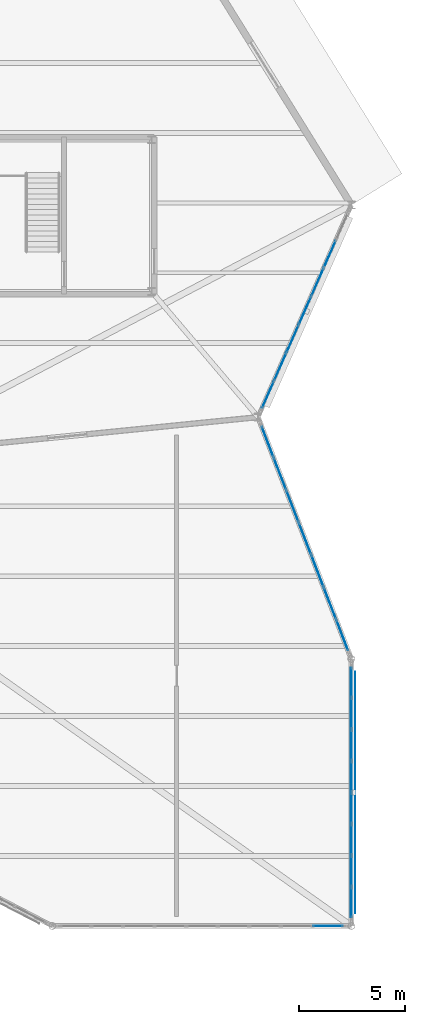
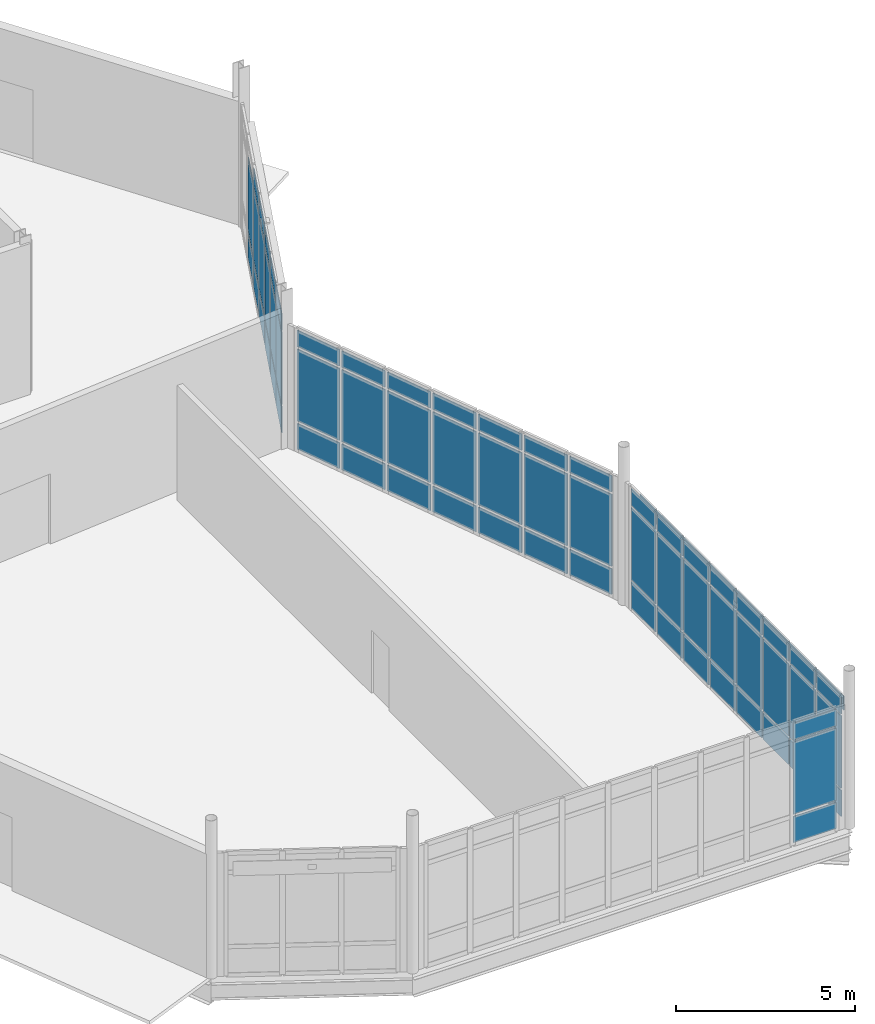
# One storey, part 80 of 113: 66 plates, 4 elements without a shape of their own.
"""IFC4 building model written with IfcOpenShell, lengths in metres."""

from ifc_helpers import new_model, si_unit, direction, frame, origin, origin_2d, place, context, subcontext, project, spatial, rectangle, extrude, material, layer, layer_set, type_object, element, aggregate, save


model = new_model("IFC4")

# Units and contexts
model_context = context("Model", 3, precision=1e-05, world=origin(), true_north=direction((0.0, 1.0)))
body_context = subcontext(model_context, "Body", "Model", "MODEL_VIEW")
ifc_project = project(units=[si_unit("LENGTHUNIT", "METRE"), si_unit("AREAUNIT", "SQUARE_METRE"), si_unit("VOLUMEUNIT", "CUBIC_METRE"), si_unit("PLANEANGLEUNIT", "RADIAN"), si_unit("MASSUNIT", "GRAM", prefix="KILO")], contexts=[model_context])

# Site, building, storey
site_placement = place(None, origin())
site = spatial("IfcSite", under=ifc_project, at=site_placement, CompositionType="ELEMENT")
building_placement = place(site_placement, origin())
building = spatial("IfcBuilding", under=site, at=building_placement, Name="Tameran Prism Museum", CompositionType="ELEMENT")
storey_placement = place(building_placement, origin())
storey = spatial("IfcBuildingStorey", under=building, at=storey_placement, Name="L00", CompositionType="ELEMENT", Elevation=0.0)

# Curtain wall, plates
ifc_material_1 = material(Name="Anodised Aluminium 6063-T6 and Cyclone Solar Glass", Category="aluminium")
curtain_wall_type_1 = type_object("IfcCurtainWallType", Name="CW-FAC-1340x422", PredefinedType="USERDEFINED", material=ifc_material_1)
curtain_wall_1_placement = place(storey_placement, origin())
curtain_wall_1 = element("IfcCurtainWall", 1, at=curtain_wall_1_placement, inside=storey, type_object=curtain_wall_type_1, Name="Unitised Curtain Wall CW-040", ObjectType="UNITISED CURTAIN WALL", PredefinedType="USERDEFINED")
ifc_material_2 = material(Name="Low-E Laminated Solar Glass", Category="glass")
ifc_layer_1 = layer(ifc_material_2, 0.028076171875)
ifc_layer_set_1 = layer_set([ifc_layer_1])
plate_type_1 = type_object("IfcPlateType", Name="CW-PNL-G28", PredefinedType="CURTAIN_PANEL", material=ifc_layer_set_1)
plate_1_placement = place(storey_placement, frame((165.2880859375, 0.0, 0.070068359375), z_axis=(0.0, 0.0, 1.0), x_axis=(-1.0, 0.0, 0.0)))
plate_1 = element("IfcPlate", 2, at=plate_1_placement, type_object=plate_type_1, Name="CW-040 panel 1.1", PredefinedType="CURTAIN_PANEL", context=body_context, shape_type="SweptSolid", body=[
    extrude(rectangle(XDim=1.3837890625, YDim=0.028076171875, at=origin_2d()), origin(), (0.0, 0.0, 1.0), 0.89501953125),
])
plate_2_placement = place(storey_placement, frame((165.2880859375, 0.0, 1.03515625), z_axis=(0.0, 0.0, 1.0), x_axis=(-1.0, 0.0, 0.0)))
plate_2 = element("IfcPlate", 3, at=plate_2_placement, type_object=plate_type_1, Name="CW-040 panel 1.2", PredefinedType="CURTAIN_PANEL", context=body_context, shape_type="SweptSolid", body=[
    extrude(rectangle(XDim=1.3837890625, YDim=0.028076171875, at=origin_2d()), origin(), (0.0, 0.0, 1.0), 2.469970703125),
])
plate_3_placement = place(storey_placement, frame((165.2880859375, 0.0, 3.5751953125), z_axis=(0.0, 0.0, 1.0), x_axis=(-1.0, 0.0, 0.0)))
plate_3 = element("IfcPlate", 4, at=plate_3_placement, type_object=plate_type_1, Name="CW-040 panel 1.3", PredefinedType="CURTAIN_PANEL", context=body_context, shape_type="SweptSolid", body=[
    extrude(rectangle(XDim=1.3837890625, YDim=0.028076171875, at=origin_2d()), origin(), (0.0, 0.0, 1.0), 0.574951171875),
])
aggregate(curtain_wall_1, [plate_1, plate_2, plate_3])

ifc_material_3 = material(Name="Anodised Aluminium 6063-T6 and Cyclone Solar Glass", Category="aluminium")
curtain_wall_type_2 = type_object("IfcCurtainWallType", Name="CW-FAC-1016x422", PredefinedType="USERDEFINED", material=ifc_material_3)
curtain_wall_2_placement = place(storey_placement, origin())
curtain_wall_2 = element("IfcCurtainWall", 5, at=curtain_wall_2_placement, inside=storey, type_object=curtain_wall_type_2, Name="Unitised Curtain Wall CW-053", ObjectType="UNITISED CURTAIN WALL", PredefinedType="USERDEFINED")
plate_4_placement = place(storey_placement, frame((165.3818359375, 31.68603515625, 0.0751953125), z_axis=(0.0, 0.0, 1.0), x_axis=(-0.402722131488, -0.915322284668, 0.0)))
plate_4 = element("IfcPlate", 6, at=plate_4_placement, type_object=plate_type_1, Name="CW-053 panel 2.1", PredefinedType="CURTAIN_PANEL", context=body_context, shape_type="SweptSolid", body=[
    extrude(rectangle(XDim=1.377197265625, YDim=0.028076171875, at=origin_2d()), origin(), (0.0, 0.0, 1.0), 0.887451171875),
])
plate_5_placement = place(storey_placement, frame((165.3818359375, 31.68603515625, 1.03759765625), z_axis=(0.0, 0.0, 1.0), x_axis=(-0.402722131488, -0.915322284668, 0.0)))
plate_5 = element("IfcPlate", 7, at=plate_5_placement, type_object=plate_type_1, Name="CW-053 panel 2.2", PredefinedType="CURTAIN_PANEL", context=body_context, shape_type="SweptSolid", body=[
    extrude(rectangle(XDim=1.377197265625, YDim=0.028076171875, at=origin_2d()), origin(), (0.0, 0.0, 1.0), 2.465087890625),
])
plate_6_placement = place(storey_placement, frame((164.796875, 30.356689453125, 0.0751953125), z_axis=(0.0, 0.0, 1.0), x_axis=(-0.402722131488, -0.915322284668, 0.0)))
plate_6 = element("IfcPlate", 8, at=plate_6_placement, type_object=plate_type_1, Name="CW-053 panel 3.1", PredefinedType="CURTAIN_PANEL", context=body_context, shape_type="SweptSolid", body=[
    extrude(rectangle(XDim=1.377197265625, YDim=0.028076171875, at=origin_2d()), origin(), (0.0, 0.0, 1.0), 0.887451171875),
])
plate_7_placement = place(storey_placement, frame((164.796875, 30.356689453125, 1.03759765625), z_axis=(0.0, 0.0, 1.0), x_axis=(-0.402722131488, -0.915322284668, 0.0)))
plate_7 = element("IfcPlate", 9, at=plate_7_placement, type_object=plate_type_1, Name="CW-053 panel 3.2", PredefinedType="CURTAIN_PANEL", context=body_context, shape_type="SweptSolid", body=[
    extrude(rectangle(XDim=1.377197265625, YDim=0.028076171875, at=origin_2d()), origin(), (0.0, 0.0, 1.0), 2.465087890625),
])
plate_8_placement = place(storey_placement, frame((164.796875, 30.356689453125, 3.57763671875), z_axis=(0.0, 0.0, 1.0), x_axis=(-0.402722131488, -0.915322284668, 0.0)))
plate_8 = element("IfcPlate", 10, at=plate_8_placement, type_object=plate_type_1, Name="CW-053 panel 3.3", PredefinedType="CURTAIN_PANEL", context=body_context, shape_type="SweptSolid", body=[
    extrude(rectangle(XDim=1.377197265625, YDim=0.028076171875, at=origin_2d()), origin(), (0.0, 0.0, 1.0), 0.5673828125),
])
plate_9_placement = place(storey_placement, frame((164.2119140625, 29.027587890625, 0.0751953125), z_axis=(0.0, 0.0, 1.0), x_axis=(-0.402722131488, -0.915322284668, 0.0)))
plate_9 = element("IfcPlate", 11, at=plate_9_placement, type_object=plate_type_1, Name="CW-053 panel 4.1", PredefinedType="CURTAIN_PANEL", context=body_context, shape_type="SweptSolid", body=[
    extrude(rectangle(XDim=1.377197265625, YDim=0.028076171875, at=origin_2d()), origin(), (0.0, 0.0, 1.0), 0.887451171875),
])
plate_10_placement = place(storey_placement, frame((164.2119140625, 29.027587890625, 1.03759765625), z_axis=(0.0, 0.0, 1.0), x_axis=(-0.402722131488, -0.915322284668, 0.0)))
plate_10 = element("IfcPlate", 12, at=plate_10_placement, type_object=plate_type_1, Name="CW-053 panel 4.2", PredefinedType="CURTAIN_PANEL", context=body_context, shape_type="SweptSolid", body=[
    extrude(rectangle(XDim=1.377197265625, YDim=0.028076171875, at=origin_2d()), origin(), (0.0, 0.0, 1.0), 2.465087890625),
])
plate_11_placement = place(storey_placement, frame((164.2119140625, 29.027587890625, 3.57763671875), z_axis=(0.0, 0.0, 1.0), x_axis=(-0.402722131488, -0.915322284668, 0.0)))
plate_11 = element("IfcPlate", 13, at=plate_11_placement, type_object=plate_type_1, Name="CW-053 panel 4.3", PredefinedType="CURTAIN_PANEL", context=body_context, shape_type="SweptSolid", body=[
    extrude(rectangle(XDim=1.377197265625, YDim=0.028076171875, at=origin_2d()), origin(), (0.0, 0.0, 1.0), 0.5673828125),
])
plate_12_placement = place(storey_placement, frame((163.627197265625, 27.6982421875, 0.0751953125), z_axis=(0.0, 0.0, 1.0), x_axis=(-0.402722131488, -0.915322284668, 0.0)))
plate_12 = element("IfcPlate", 14, at=plate_12_placement, type_object=plate_type_1, Name="CW-053 panel 5.1", PredefinedType="CURTAIN_PANEL", context=body_context, shape_type="SweptSolid", body=[
    extrude(rectangle(XDim=1.377197265625, YDim=0.028076171875, at=origin_2d()), origin(), (0.0, 0.0, 1.0), 0.887451171875),
])
plate_13_placement = place(storey_placement, frame((163.627197265625, 27.6982421875, 1.03759765625), z_axis=(0.0, 0.0, 1.0), x_axis=(-0.402722131488, -0.915322284668, 0.0)))
plate_13 = element("IfcPlate", 15, at=plate_13_placement, type_object=plate_type_1, Name="CW-053 panel 5.2", PredefinedType="CURTAIN_PANEL", context=body_context, shape_type="SweptSolid", body=[
    extrude(rectangle(XDim=1.377197265625, YDim=0.028076171875, at=origin_2d()), origin(), (0.0, 0.0, 1.0), 2.465087890625),
])
plate_14_placement = place(storey_placement, frame((163.627197265625, 27.6982421875, 3.57763671875), z_axis=(0.0, 0.0, 1.0), x_axis=(-0.402722131488, -0.915322284668, 0.0)))
plate_14 = element("IfcPlate", 16, at=plate_14_placement, type_object=plate_type_1, Name="CW-053 panel 5.3", PredefinedType="CURTAIN_PANEL", context=body_context, shape_type="SweptSolid", body=[
    extrude(rectangle(XDim=1.377197265625, YDim=0.028076171875, at=origin_2d()), origin(), (0.0, 0.0, 1.0), 0.5673828125),
])
plate_15_placement = place(storey_placement, frame((163.042236328125, 26.368896484375, 0.0751953125), z_axis=(0.0, 0.0, 1.0), x_axis=(-0.402722131488, -0.915322284668, 0.0)))
plate_15 = element("IfcPlate", 17, at=plate_15_placement, type_object=plate_type_1, Name="CW-053 panel 6.1", PredefinedType="CURTAIN_PANEL", context=body_context, shape_type="SweptSolid", body=[
    extrude(rectangle(XDim=1.377197265625, YDim=0.028076171875, at=origin_2d()), origin(), (0.0, 0.0, 1.0), 0.887451171875),
])
plate_16_placement = place(storey_placement, frame((163.042236328125, 26.368896484375, 1.03759765625), z_axis=(0.0, 0.0, 1.0), x_axis=(-0.402722131488, -0.915322284668, 0.0)))
plate_16 = element("IfcPlate", 18, at=plate_16_placement, type_object=plate_type_1, Name="CW-053 panel 6.2", PredefinedType="CURTAIN_PANEL", context=body_context, shape_type="SweptSolid", body=[
    extrude(rectangle(XDim=1.377197265625, YDim=0.028076171875, at=origin_2d()), origin(), (0.0, 0.0, 1.0), 2.465087890625),
])
plate_17_placement = place(storey_placement, frame((163.042236328125, 26.368896484375, 3.57763671875), z_axis=(0.0, 0.0, 1.0), x_axis=(-0.402722131488, -0.915322284668, 0.0)))
plate_17 = element("IfcPlate", 19, at=plate_17_placement, type_object=plate_type_1, Name="CW-053 panel 6.3", PredefinedType="CURTAIN_PANEL", context=body_context, shape_type="SweptSolid", body=[
    extrude(rectangle(XDim=1.377197265625, YDim=0.028076171875, at=origin_2d()), origin(), (0.0, 0.0, 1.0), 0.5673828125),
])
plate_18_placement = place(storey_placement, frame((162.465087890625, 25.056884765625, 0.0751953125), z_axis=(0.0, 0.0, 1.0), x_axis=(-0.402722131488, -0.915322284668, 0.0)))
plate_18 = element("IfcPlate", 20, at=plate_18_placement, type_object=plate_type_1, Name="CW-053 panel 7.1", PredefinedType="CURTAIN_PANEL", context=body_context, shape_type="SweptSolid", body=[
    extrude(rectangle(XDim=1.33984375, YDim=0.028076171875, at=origin_2d()), origin(), (0.0, 0.0, 1.0), 0.887451171875),
])
plate_19_placement = place(storey_placement, frame((162.465087890625, 25.056884765625, 1.03759765625), z_axis=(0.0, 0.0, 1.0), x_axis=(-0.402722131488, -0.915322284668, 0.0)))
plate_19 = element("IfcPlate", 21, at=plate_19_placement, type_object=plate_type_1, Name="CW-053 panel 7.2", PredefinedType="CURTAIN_PANEL", context=body_context, shape_type="SweptSolid", body=[
    extrude(rectangle(XDim=1.33984375, YDim=0.028076171875, at=origin_2d()), origin(), (0.0, 0.0, 1.0), 2.465087890625),
])
plate_20_placement = place(storey_placement, frame((162.465087890625, 25.056884765625, 3.57763671875), z_axis=(0.0, 0.0, 1.0), x_axis=(-0.402722131488, -0.915322284668, 0.0)))
plate_20 = element("IfcPlate", 22, at=plate_20_placement, type_object=plate_type_1, Name="CW-053 panel 7.3", PredefinedType="CURTAIN_PANEL", context=body_context, shape_type="SweptSolid", body=[
    extrude(rectangle(XDim=1.33984375, YDim=0.028076171875, at=origin_2d()), origin(), (0.0, 0.0, 1.0), 0.5673828125),
])
aggregate(curtain_wall_2, [plate_4, plate_5, plate_6, plate_7, plate_8, plate_9, plate_10, plate_11, plate_12, plate_13, plate_14, plate_15, plate_16, plate_17, plate_18, plate_19, plate_20])

ifc_material_4 = material(Name="Anodised Aluminium 6063-T6 and Cyclone Solar Glass", Category="aluminium")
curtain_wall_type_3 = type_object("IfcCurtainWallType", Name="CW-FAC-1146x422", PredefinedType="USERDEFINED", material=ifc_material_4)
curtain_wall_3_placement = place(storey_placement, origin())
curtain_wall_3 = element("IfcCurtainWall", 23, at=curtain_wall_3_placement, inside=storey, type_object=curtain_wall_type_3, Name="Unitised Curtain Wall CW-042", ObjectType="UNITISED CURTAIN WALL", PredefinedType="USERDEFINED")
ifc_material_5 = material(Name="Cyclone Laminated Solar Glass", Category="glass")
ifc_layer_2 = layer(ifc_material_5, 0.031982421875)
ifc_layer_set_2 = layer_set([ifc_layer_2])
plate_type_2 = type_object("IfcPlateType", Name="CW-PNL-G32", PredefinedType="CURTAIN_PANEL", material=ifc_layer_set_2)
plate_21_placement = place(storey_placement, frame((162.449951171875, 22.834716796875, 0.080078125), z_axis=(0.0, 0.0, 1.0), x_axis=(0.360078259151, -0.932922101403, 0.0)))
plate_21 = element("IfcPlate", 24, at=plate_21_placement, type_object=plate_type_2, Name="CW-042 panel 1.1", PredefinedType="CURTAIN_PANEL", context=body_context, shape_type="SweptSolid", body=[
    extrude(rectangle(XDim=1.516845703125, YDim=0.031982421875, at=origin_2d()), origin(), (0.0, 0.0, 1.0), 0.8798828125),
])
plate_22_placement = place(storey_placement, frame((162.449951171875, 22.834716796875, 1.0400390625), z_axis=(0.0, 0.0, 1.0), x_axis=(0.360078259151, -0.932922101403, 0.0)))
plate_22 = element("IfcPlate", 25, at=plate_22_placement, type_object=plate_type_2, Name="CW-042 panel 1.2", PredefinedType="CURTAIN_PANEL", context=body_context, shape_type="SweptSolid", body=[
    extrude(rectangle(XDim=1.516845703125, YDim=0.031982421875, at=origin_2d()), origin(), (0.0, 0.0, 1.0), 2.4599609375),
])
plate_23_placement = place(storey_placement, frame((162.449951171875, 22.834716796875, 3.580078125), z_axis=(0.0, 0.0, 1.0), x_axis=(0.360078259151, -0.932922101403, 0.0)))
plate_23 = element("IfcPlate", 26, at=plate_23_placement, type_object=plate_type_2, Name="CW-042 panel 1.3", PredefinedType="CURTAIN_PANEL", context=body_context, shape_type="SweptSolid", body=[
    extrude(rectangle(XDim=1.516845703125, YDim=0.031982421875, at=origin_2d()), origin(), (0.0, 0.0, 1.0), 0.56005859375),
])
plate_24_placement = place(storey_placement, frame((163.0322265625, 21.326171875, 0.080078125), z_axis=(0.0, 0.0, 1.0), x_axis=(0.360078259151, -0.932922101403, 0.0)))
plate_24 = element("IfcPlate", 27, at=plate_24_placement, type_object=plate_type_2, Name="CW-042 panel 2.1", PredefinedType="CURTAIN_PANEL", context=body_context, shape_type="SweptSolid", body=[
    extrude(rectangle(XDim=1.556884765625, YDim=0.031982421875, at=origin_2d()), origin(), (0.0, 0.0, 1.0), 0.8798828125),
])
plate_25_placement = place(storey_placement, frame((163.0322265625, 21.326171875, 1.0400390625), z_axis=(0.0, 0.0, 1.0), x_axis=(0.360078259151, -0.932922101403, 0.0)))
plate_25 = element("IfcPlate", 28, at=plate_25_placement, type_object=plate_type_2, Name="CW-042 panel 2.2", PredefinedType="CURTAIN_PANEL", context=body_context, shape_type="SweptSolid", body=[
    extrude(rectangle(XDim=1.556884765625, YDim=0.031982421875, at=origin_2d()), origin(), (0.0, 0.0, 1.0), 2.4599609375),
])
plate_26_placement = place(storey_placement, frame((163.0322265625, 21.326171875, 3.580078125), z_axis=(0.0, 0.0, 1.0), x_axis=(0.360078259151, -0.932922101403, 0.0)))
plate_26 = element("IfcPlate", 29, at=plate_26_placement, type_object=plate_type_2, Name="CW-042 panel 2.3", PredefinedType="CURTAIN_PANEL", context=body_context, shape_type="SweptSolid", body=[
    extrude(rectangle(XDim=1.556884765625, YDim=0.031982421875, at=origin_2d()), origin(), (0.0, 0.0, 1.0), 0.56005859375),
])
plate_27_placement = place(storey_placement, frame((163.62158203125, 19.799072265625, 0.080078125), z_axis=(0.0, 0.0, 1.0), x_axis=(0.360078259151, -0.932922101403, 0.0)))
plate_27 = element("IfcPlate", 30, at=plate_27_placement, type_object=plate_type_2, Name="CW-042 panel 3.1", PredefinedType="CURTAIN_PANEL", context=body_context, shape_type="SweptSolid", body=[
    extrude(rectangle(XDim=1.556884765625, YDim=0.031982421875, at=origin_2d()), origin(), (0.0, 0.0, 1.0), 0.8798828125),
])
plate_28_placement = place(storey_placement, frame((163.62158203125, 19.799072265625, 1.0400390625), z_axis=(0.0, 0.0, 1.0), x_axis=(0.360078259151, -0.932922101403, 0.0)))
plate_28 = element("IfcPlate", 31, at=plate_28_placement, type_object=plate_type_2, Name="CW-042 panel 3.2", PredefinedType="CURTAIN_PANEL", context=body_context, shape_type="SweptSolid", body=[
    extrude(rectangle(XDim=1.556884765625, YDim=0.031982421875, at=origin_2d()), origin(), (0.0, 0.0, 1.0), 2.4599609375),
])
plate_29_placement = place(storey_placement, frame((163.62158203125, 19.799072265625, 3.580078125), z_axis=(0.0, 0.0, 1.0), x_axis=(0.360078259151, -0.932922101403, 0.0)))
plate_29 = element("IfcPlate", 32, at=plate_29_placement, type_object=plate_type_2, Name="CW-042 panel 3.3", PredefinedType="CURTAIN_PANEL", context=body_context, shape_type="SweptSolid", body=[
    extrude(rectangle(XDim=1.556884765625, YDim=0.031982421875, at=origin_2d()), origin(), (0.0, 0.0, 1.0), 0.56005859375),
])
plate_30_placement = place(storey_placement, frame((164.2109375, 18.27197265625, 0.080078125), z_axis=(0.0, 0.0, 1.0), x_axis=(0.360078259151, -0.932922101403, 0.0)))
plate_30 = element("IfcPlate", 33, at=plate_30_placement, type_object=plate_type_2, Name="CW-042 panel 4.1", PredefinedType="CURTAIN_PANEL", context=body_context, shape_type="SweptSolid", body=[
    extrude(rectangle(XDim=1.556884765625, YDim=0.031982421875, at=origin_2d()), origin(), (0.0, 0.0, 1.0), 0.8798828125),
])
plate_31_placement = place(storey_placement, frame((164.2109375, 18.27197265625, 1.0400390625), z_axis=(0.0, 0.0, 1.0), x_axis=(0.360078259151, -0.932922101403, 0.0)))
plate_31 = element("IfcPlate", 34, at=plate_31_placement, type_object=plate_type_2, Name="CW-042 panel 4.2", PredefinedType="CURTAIN_PANEL", context=body_context, shape_type="SweptSolid", body=[
    extrude(rectangle(XDim=1.556884765625, YDim=0.031982421875, at=origin_2d()), origin(), (0.0, 0.0, 1.0), 2.4599609375),
])
plate_32_placement = place(storey_placement, frame((164.2109375, 18.27197265625, 3.580078125), z_axis=(0.0, 0.0, 1.0), x_axis=(0.360078259151, -0.932922101403, 0.0)))
plate_32 = element("IfcPlate", 35, at=plate_32_placement, type_object=plate_type_2, Name="CW-042 panel 4.3", PredefinedType="CURTAIN_PANEL", context=body_context, shape_type="SweptSolid", body=[
    extrude(rectangle(XDim=1.556884765625, YDim=0.031982421875, at=origin_2d()), origin(), (0.0, 0.0, 1.0), 0.56005859375),
])
plate_33_placement = place(storey_placement, frame((164.800537109375, 16.744873046875, 0.080078125), z_axis=(0.0, 0.0, 1.0), x_axis=(0.360078259151, -0.932922101403, 0.0)))
plate_33 = element("IfcPlate", 36, at=plate_33_placement, type_object=plate_type_2, Name="CW-042 panel 5.1", PredefinedType="CURTAIN_PANEL", context=body_context, shape_type="SweptSolid", body=[
    extrude(rectangle(XDim=1.556884765625, YDim=0.031982421875, at=origin_2d()), origin(), (0.0, 0.0, 1.0), 0.8798828125),
])
plate_34_placement = place(storey_placement, frame((164.800537109375, 16.744873046875, 1.0400390625), z_axis=(0.0, 0.0, 1.0), x_axis=(0.360078259151, -0.932922101403, 0.0)))
plate_34 = element("IfcPlate", 37, at=plate_34_placement, type_object=plate_type_2, Name="CW-042 panel 5.2", PredefinedType="CURTAIN_PANEL", context=body_context, shape_type="SweptSolid", body=[
    extrude(rectangle(XDim=1.556884765625, YDim=0.031982421875, at=origin_2d()), origin(), (0.0, 0.0, 1.0), 2.4599609375),
])
plate_35_placement = place(storey_placement, frame((164.800537109375, 16.744873046875, 3.580078125), z_axis=(0.0, 0.0, 1.0), x_axis=(0.360078259151, -0.932922101403, 0.0)))
plate_35 = element("IfcPlate", 38, at=plate_35_placement, type_object=plate_type_2, Name="CW-042 panel 5.3", PredefinedType="CURTAIN_PANEL", context=body_context, shape_type="SweptSolid", body=[
    extrude(rectangle(XDim=1.556884765625, YDim=0.031982421875, at=origin_2d()), origin(), (0.0, 0.0, 1.0), 0.56005859375),
])
plate_36_placement = place(storey_placement, frame((165.389892578125, 15.2177734375, 0.080078125), z_axis=(0.0, 0.0, 1.0), x_axis=(0.360078259151, -0.932922101403, 0.0)))
plate_36 = element("IfcPlate", 39, at=plate_36_placement, type_object=plate_type_2, Name="CW-042 panel 6.1", PredefinedType="CURTAIN_PANEL", context=body_context, shape_type="SweptSolid", body=[
    extrude(rectangle(XDim=1.556884765625, YDim=0.031982421875, at=origin_2d()), origin(), (0.0, 0.0, 1.0), 0.8798828125),
])
plate_37_placement = place(storey_placement, frame((165.389892578125, 15.2177734375, 1.0400390625), z_axis=(0.0, 0.0, 1.0), x_axis=(0.360078259151, -0.932922101403, 0.0)))
plate_37 = element("IfcPlate", 40, at=plate_37_placement, type_object=plate_type_2, Name="CW-042 panel 6.2", PredefinedType="CURTAIN_PANEL", context=body_context, shape_type="SweptSolid", body=[
    extrude(rectangle(XDim=1.556884765625, YDim=0.031982421875, at=origin_2d()), origin(), (0.0, 0.0, 1.0), 2.4599609375),
])
plate_38_placement = place(storey_placement, frame((165.389892578125, 15.2177734375, 3.580078125), z_axis=(0.0, 0.0, 1.0), x_axis=(0.360078259151, -0.932922101403, 0.0)))
plate_38 = element("IfcPlate", 41, at=plate_38_placement, type_object=plate_type_2, Name="CW-042 panel 6.3", PredefinedType="CURTAIN_PANEL", context=body_context, shape_type="SweptSolid", body=[
    extrude(rectangle(XDim=1.556884765625, YDim=0.031982421875, at=origin_2d()), origin(), (0.0, 0.0, 1.0), 0.56005859375),
])
plate_39_placement = place(storey_placement, frame((165.97216796875, 13.709228515625, 0.080078125), z_axis=(0.0, 0.0, 1.0), x_axis=(0.360078259151, -0.932922101403, 0.0)))
plate_39 = element("IfcPlate", 42, at=plate_39_placement, type_object=plate_type_2, Name="CW-042 panel 7.1", PredefinedType="CURTAIN_PANEL", context=body_context, shape_type="SweptSolid", body=[
    extrude(rectangle(XDim=1.516845703125, YDim=0.031982421875, at=origin_2d()), origin(), (0.0, 0.0, 1.0), 0.8798828125),
])
plate_40_placement = place(storey_placement, frame((165.97216796875, 13.709228515625, 1.0400390625), z_axis=(0.0, 0.0, 1.0), x_axis=(0.360078259151, -0.932922101403, 0.0)))
plate_40 = element("IfcPlate", 43, at=plate_40_placement, type_object=plate_type_2, Name="CW-042 panel 7.2", PredefinedType="CURTAIN_PANEL", context=body_context, shape_type="SweptSolid", body=[
    extrude(rectangle(XDim=1.516845703125, YDim=0.031982421875, at=origin_2d()), origin(), (0.0, 0.0, 1.0), 2.4599609375),
])
plate_41_placement = place(storey_placement, frame((165.97216796875, 13.709228515625, 3.580078125), z_axis=(0.0, 0.0, 1.0), x_axis=(0.360078259151, -0.932922101403, 0.0)))
plate_41 = element("IfcPlate", 44, at=plate_41_placement, type_object=plate_type_2, Name="CW-042 panel 7.3", PredefinedType="CURTAIN_PANEL", context=body_context, shape_type="SweptSolid", body=[
    extrude(rectangle(XDim=1.516845703125, YDim=0.031982421875, at=origin_2d()), origin(), (0.0, 0.0, 1.0), 0.56005859375),
])
aggregate(curtain_wall_3, [plate_21, plate_22, plate_23, plate_24, plate_25, plate_26, plate_27, plate_28, plate_29, plate_30, plate_31, plate_32, plate_33, plate_34, plate_35, plate_36, plate_37, plate_38, plate_39, plate_40, plate_41])

# Plate
ifc_material_6 = material(Name="Perforated Marine Aluminium Storm Screen", Category="aluminium")
ifc_layer_3 = layer(ifc_material_6, 0.011962890625)
ifc_layer_set_3 = layer_set([ifc_layer_3])
plate_type_3 = type_object("IfcPlateType", Name="CW-PNL-P12", PredefinedType="SHEET", material=ifc_layer_set_3)
plate_42_placement = place(storey_placement, frame((166.580078125, 6.300048828125, 3.530029296875), z_axis=(0.0, 0.0, 1.0), x_axis=(0.0, -1.0, 0.0)))
element("IfcPlate", 45, at=plate_42_placement, inside=storey, type_object=plate_type_3, Name="Cyclone Perforated Sun-Breaker SS-011", PredefinedType="SHEET", context=body_context, shape_type="SweptSolid", body=[
    extrude(rectangle(XDim=11.39990234375, YDim=0.02001953125, at=origin_2d()), origin(), (0.0, 0.0, 1.0), 0.47998046875),
])

# Curtain wall, plates
ifc_material_7 = material(Name="Anodised Aluminium 6063-T6 and Cyclone Solar Glass", Category="aluminium")
curtain_wall_type_4 = type_object("IfcCurtainWallType", Name="CW-FAC-1190x422", PredefinedType="USERDEFINED", material=ifc_material_7)
curtain_wall_4_placement = place(storey_placement, origin())
curtain_wall_4 = element("IfcCurtainWall", 46, at=curtain_wall_4_placement, inside=storey, type_object=curtain_wall_type_4, Name="Unitised Curtain Wall CW-041", ObjectType="UNITISED CURTAIN WALL", PredefinedType="USERDEFINED")
ifc_material_8 = material(Name="Insulated Aluminium Spandrel Panel", Category="aluminium")
ifc_layer_4 = layer(ifc_material_8, 0.0400390625)
ifc_layer_set_4 = layer_set([ifc_layer_4])
plate_type_4 = type_object("IfcPlateType", Name="CW-PNL-S40", PredefinedType="CURTAIN_PANEL", material=ifc_layer_set_4)
plate_43_placement = place(storey_placement, frame((166.39990234375, 11.487548828125, 0.0751953125), z_axis=(0.0, 0.0, 1.0), x_axis=(0.0, -1.0, 0.0)))
plate_43 = element("IfcPlate", 47, at=plate_43_placement, type_object=plate_type_4, Name="CW-041 panel 1.1", PredefinedType="CURTAIN_PANEL", context=body_context, shape_type="SweptSolid", body=[
    extrude(rectangle(XDim=1.375, YDim=0.0400390625, at=origin_2d()), origin(), (0.0, 0.0, 1.0), 0.887451171875),
])
plate_44_placement = place(storey_placement, frame((166.39990234375, 11.487548828125, 1.03759765625), z_axis=(0.0, 0.0, 1.0), x_axis=(0.0, -1.0, 0.0)))
plate_44 = element("IfcPlate", 48, at=plate_44_placement, type_object=plate_type_4, Name="CW-041 panel 1.2", PredefinedType="CURTAIN_PANEL", context=body_context, shape_type="SweptSolid", body=[
    extrude(rectangle(XDim=1.375, YDim=0.0400390625, at=origin_2d()), origin(), (0.0, 0.0, 1.0), 2.465087890625),
])
plate_45_placement = place(storey_placement, frame((166.39990234375, 11.487548828125, 3.57763671875), z_axis=(0.0, 0.0, 1.0), x_axis=(0.0, -1.0, 0.0)))
plate_45 = element("IfcPlate", 49, at=plate_45_placement, type_object=plate_type_4, Name="CW-041 panel 1.3", PredefinedType="CURTAIN_PANEL", context=body_context, shape_type="SweptSolid", body=[
    extrude(rectangle(XDim=1.375, YDim=0.0400390625, at=origin_2d()), origin(), (0.0, 0.0, 1.0), 0.5673828125),
])
plate_46_placement = place(storey_placement, frame((166.39990234375, 10.018798828125, 0.0751953125), z_axis=(0.0, 0.0, 1.0), x_axis=(0.0, -1.0, 0.0)))
plate_46 = element("IfcPlate", 50, at=plate_46_placement, type_object=plate_type_4, Name="CW-041 panel 2.1", PredefinedType="CURTAIN_PANEL", context=body_context, shape_type="SweptSolid", body=[
    extrude(rectangle(XDim=1.41259765625, YDim=0.0400390625, at=origin_2d()), origin(), (0.0, 0.0, 1.0), 0.887451171875),
])
plate_47_placement = place(storey_placement, frame((166.39990234375, 10.018798828125, 1.03759765625), z_axis=(0.0, 0.0, 1.0), x_axis=(0.0, -1.0, 0.0)))
plate_47 = element("IfcPlate", 51, at=plate_47_placement, type_object=plate_type_4, Name="CW-041 panel 2.2", PredefinedType="CURTAIN_PANEL", context=body_context, shape_type="SweptSolid", body=[
    extrude(rectangle(XDim=1.41259765625, YDim=0.0400390625, at=origin_2d()), origin(), (0.0, 0.0, 1.0), 2.465087890625),
])
plate_48_placement = place(storey_placement, frame((166.39990234375, 10.018798828125, 3.57763671875), z_axis=(0.0, 0.0, 1.0), x_axis=(0.0, -1.0, 0.0)))
plate_48 = element("IfcPlate", 52, at=plate_48_placement, type_object=plate_type_4, Name="CW-041 panel 2.3", PredefinedType="CURTAIN_PANEL", context=body_context, shape_type="SweptSolid", body=[
    extrude(rectangle(XDim=1.41259765625, YDim=0.0400390625, at=origin_2d()), origin(), (0.0, 0.0, 1.0), 0.5673828125),
])
plate_49_placement = place(storey_placement, frame((166.39990234375, 8.53125, 0.0751953125), z_axis=(0.0, 0.0, 1.0), x_axis=(0.0, -1.0, 0.0)))
plate_49 = element("IfcPlate", 53, at=plate_49_placement, type_object=plate_type_4, Name="CW-041 panel 3.1", PredefinedType="CURTAIN_PANEL", context=body_context, shape_type="SweptSolid", body=[
    extrude(rectangle(XDim=1.41259765625, YDim=0.0400390625, at=origin_2d()), origin(), (0.0, 0.0, 1.0), 0.887451171875),
])
plate_50_placement = place(storey_placement, frame((166.39990234375, 8.53125, 1.03759765625), z_axis=(0.0, 0.0, 1.0), x_axis=(0.0, -1.0, 0.0)))
plate_50 = element("IfcPlate", 54, at=plate_50_placement, type_object=plate_type_4, Name="CW-041 panel 3.2", PredefinedType="CURTAIN_PANEL", context=body_context, shape_type="SweptSolid", body=[
    extrude(rectangle(XDim=1.41259765625, YDim=0.0400390625, at=origin_2d()), origin(), (0.0, 0.0, 1.0), 2.465087890625),
])
plate_51_placement = place(storey_placement, frame((166.39990234375, 8.53125, 3.57763671875), z_axis=(0.0, 0.0, 1.0), x_axis=(0.0, -1.0, 0.0)))
plate_51 = element("IfcPlate", 55, at=plate_51_placement, type_object=plate_type_4, Name="CW-041 panel 3.3", PredefinedType="CURTAIN_PANEL", context=body_context, shape_type="SweptSolid", body=[
    extrude(rectangle(XDim=1.41259765625, YDim=0.0400390625, at=origin_2d()), origin(), (0.0, 0.0, 1.0), 0.5673828125),
])
plate_52_placement = place(storey_placement, frame((166.39990234375, 7.043701171875, 0.0751953125), z_axis=(0.0, 0.0, 1.0), x_axis=(0.0, -1.0, 0.0)))
plate_52 = element("IfcPlate", 56, at=plate_52_placement, type_object=plate_type_4, Name="CW-041 panel 4.1", PredefinedType="CURTAIN_PANEL", context=body_context, shape_type="SweptSolid", body=[
    extrude(rectangle(XDim=1.41259765625, YDim=0.0400390625, at=origin_2d()), origin(), (0.0, 0.0, 1.0), 0.887451171875),
])
plate_53_placement = place(storey_placement, frame((166.39990234375, 7.043701171875, 1.03759765625), z_axis=(0.0, 0.0, 1.0), x_axis=(0.0, -1.0, 0.0)))
plate_53 = element("IfcPlate", 57, at=plate_53_placement, type_object=plate_type_4, Name="CW-041 panel 4.2", PredefinedType="CURTAIN_PANEL", context=body_context, shape_type="SweptSolid", body=[
    extrude(rectangle(XDim=1.41259765625, YDim=0.0400390625, at=origin_2d()), origin(), (0.0, 0.0, 1.0), 2.465087890625),
])
plate_54_placement = place(storey_placement, frame((166.39990234375, 7.043701171875, 3.57763671875), z_axis=(0.0, 0.0, 1.0), x_axis=(0.0, -1.0, 0.0)))
plate_54 = element("IfcPlate", 58, at=plate_54_placement, type_object=plate_type_4, Name="CW-041 panel 4.3", PredefinedType="CURTAIN_PANEL", context=body_context, shape_type="SweptSolid", body=[
    extrude(rectangle(XDim=1.41259765625, YDim=0.0400390625, at=origin_2d()), origin(), (0.0, 0.0, 1.0), 0.5673828125),
])
plate_55_placement = place(storey_placement, frame((166.39990234375, 5.55615234375, 0.0751953125), z_axis=(0.0, 0.0, 1.0), x_axis=(0.0, -1.0, 0.0)))
plate_55 = element("IfcPlate", 59, at=plate_55_placement, type_object=plate_type_4, Name="CW-041 panel 5.1", PredefinedType="CURTAIN_PANEL", context=body_context, shape_type="SweptSolid", body=[
    extrude(rectangle(XDim=1.41259765625, YDim=0.0400390625, at=origin_2d()), origin(), (0.0, 0.0, 1.0), 0.887451171875),
])
plate_56_placement = place(storey_placement, frame((166.39990234375, 5.55615234375, 1.03759765625), z_axis=(0.0, 0.0, 1.0), x_axis=(0.0, -1.0, 0.0)))
plate_56 = element("IfcPlate", 60, at=plate_56_placement, type_object=plate_type_4, Name="CW-041 panel 5.2", PredefinedType="CURTAIN_PANEL", context=body_context, shape_type="SweptSolid", body=[
    extrude(rectangle(XDim=1.41259765625, YDim=0.0400390625, at=origin_2d()), origin(), (0.0, 0.0, 1.0), 2.465087890625),
])
plate_57_placement = place(storey_placement, frame((166.39990234375, 5.55615234375, 3.57763671875), z_axis=(0.0, 0.0, 1.0), x_axis=(0.0, -1.0, 0.0)))
plate_57 = element("IfcPlate", 61, at=plate_57_placement, type_object=plate_type_4, Name="CW-041 panel 5.3", PredefinedType="CURTAIN_PANEL", context=body_context, shape_type="SweptSolid", body=[
    extrude(rectangle(XDim=1.41259765625, YDim=0.0400390625, at=origin_2d()), origin(), (0.0, 0.0, 1.0), 0.5673828125),
])
plate_58_placement = place(storey_placement, frame((166.39990234375, 4.06884765625, 0.0751953125), z_axis=(0.0, 0.0, 1.0), x_axis=(0.0, -1.0, 0.0)))
plate_58 = element("IfcPlate", 62, at=plate_58_placement, type_object=plate_type_4, Name="CW-041 panel 6.1", PredefinedType="CURTAIN_PANEL", context=body_context, shape_type="SweptSolid", body=[
    extrude(rectangle(XDim=1.41259765625, YDim=0.0400390625, at=origin_2d()), origin(), (0.0, 0.0, 1.0), 0.887451171875),
])
plate_59_placement = place(storey_placement, frame((166.39990234375, 4.06884765625, 1.03759765625), z_axis=(0.0, 0.0, 1.0), x_axis=(0.0, -1.0, 0.0)))
plate_59 = element("IfcPlate", 63, at=plate_59_placement, type_object=plate_type_4, Name="CW-041 panel 6.2", PredefinedType="CURTAIN_PANEL", context=body_context, shape_type="SweptSolid", body=[
    extrude(rectangle(XDim=1.41259765625, YDim=0.0400390625, at=origin_2d()), origin(), (0.0, 0.0, 1.0), 2.465087890625),
])
plate_60_placement = place(storey_placement, frame((166.39990234375, 4.06884765625, 3.57763671875), z_axis=(0.0, 0.0, 1.0), x_axis=(0.0, -1.0, 0.0)))
plate_60 = element("IfcPlate", 64, at=plate_60_placement, type_object=plate_type_4, Name="CW-041 panel 6.3", PredefinedType="CURTAIN_PANEL", context=body_context, shape_type="SweptSolid", body=[
    extrude(rectangle(XDim=1.41259765625, YDim=0.0400390625, at=origin_2d()), origin(), (0.0, 0.0, 1.0), 0.5673828125),
])
plate_61_placement = place(storey_placement, frame((166.39990234375, 2.581298828125, 0.0751953125), z_axis=(0.0, 0.0, 1.0), x_axis=(0.0, -1.0, 0.0)))
plate_61 = element("IfcPlate", 65, at=plate_61_placement, type_object=plate_type_4, Name="CW-041 panel 7.1", PredefinedType="CURTAIN_PANEL", context=body_context, shape_type="SweptSolid", body=[
    extrude(rectangle(XDim=1.41259765625, YDim=0.0400390625, at=origin_2d()), origin(), (0.0, 0.0, 1.0), 0.887451171875),
])
plate_62_placement = place(storey_placement, frame((166.39990234375, 2.581298828125, 1.03759765625), z_axis=(0.0, 0.0, 1.0), x_axis=(0.0, -1.0, 0.0)))
plate_62 = element("IfcPlate", 66, at=plate_62_placement, type_object=plate_type_4, Name="CW-041 panel 7.2", PredefinedType="CURTAIN_PANEL", context=body_context, shape_type="SweptSolid", body=[
    extrude(rectangle(XDim=1.41259765625, YDim=0.0400390625, at=origin_2d()), origin(), (0.0, 0.0, 1.0), 2.465087890625),
])
plate_63_placement = place(storey_placement, frame((166.39990234375, 2.581298828125, 3.57763671875), z_axis=(0.0, 0.0, 1.0), x_axis=(0.0, -1.0, 0.0)))
plate_63 = element("IfcPlate", 67, at=plate_63_placement, type_object=plate_type_4, Name="CW-041 panel 7.3", PredefinedType="CURTAIN_PANEL", context=body_context, shape_type="SweptSolid", body=[
    extrude(rectangle(XDim=1.41259765625, YDim=0.0400390625, at=origin_2d()), origin(), (0.0, 0.0, 1.0), 0.5673828125),
])
plate_64_placement = place(storey_placement, frame((166.39990234375, 1.112548828125, 0.0751953125), z_axis=(0.0, 0.0, 1.0), x_axis=(0.0, -1.0, 0.0)))
plate_64 = element("IfcPlate", 68, at=plate_64_placement, type_object=plate_type_4, Name="CW-041 panel 8.1", PredefinedType="CURTAIN_PANEL", context=body_context, shape_type="SweptSolid", body=[
    extrude(rectangle(XDim=1.375, YDim=0.0400390625, at=origin_2d()), origin(), (0.0, 0.0, 1.0), 0.887451171875),
])
plate_65_placement = place(storey_placement, frame((166.39990234375, 1.112548828125, 1.03759765625), z_axis=(0.0, 0.0, 1.0), x_axis=(0.0, -1.0, 0.0)))
plate_65 = element("IfcPlate", 69, at=plate_65_placement, type_object=plate_type_4, Name="CW-041 panel 8.2", PredefinedType="CURTAIN_PANEL", context=body_context, shape_type="SweptSolid", body=[
    extrude(rectangle(XDim=1.375, YDim=0.0400390625, at=origin_2d()), origin(), (0.0, 0.0, 1.0), 2.465087890625),
])
plate_66_placement = place(storey_placement, frame((166.39990234375, 1.112548828125, 3.57763671875), z_axis=(0.0, 0.0, 1.0), x_axis=(0.0, -1.0, 0.0)))
plate_66 = element("IfcPlate", 70, at=plate_66_placement, type_object=plate_type_4, Name="CW-041 panel 8.3", PredefinedType="CURTAIN_PANEL", context=body_context, shape_type="SweptSolid", body=[
    extrude(rectangle(XDim=1.375, YDim=0.0400390625, at=origin_2d()), origin(), (0.0, 0.0, 1.0), 0.5673828125),
])
aggregate(curtain_wall_4, [plate_43, plate_44, plate_45, plate_46, plate_47, plate_48, plate_49, plate_50, plate_51, plate_52, plate_53, plate_54, plate_55, plate_56, plate_57, plate_58, plate_59, plate_60, plate_61, plate_62, plate_63, plate_64, plate_65, plate_66])

save(model, "model.ifc")
